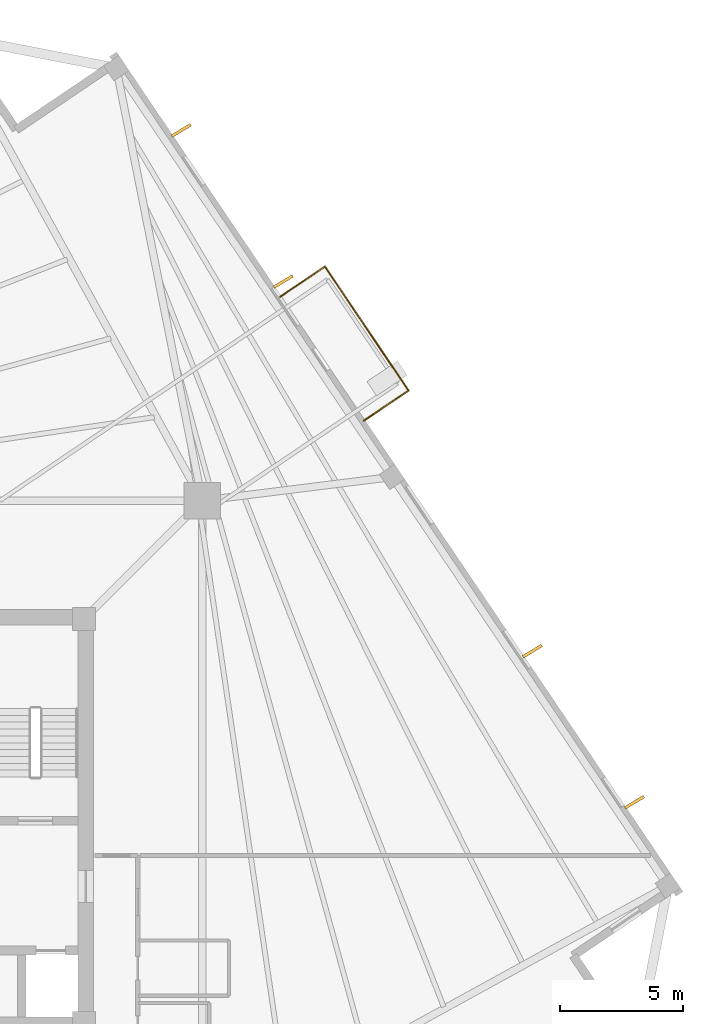
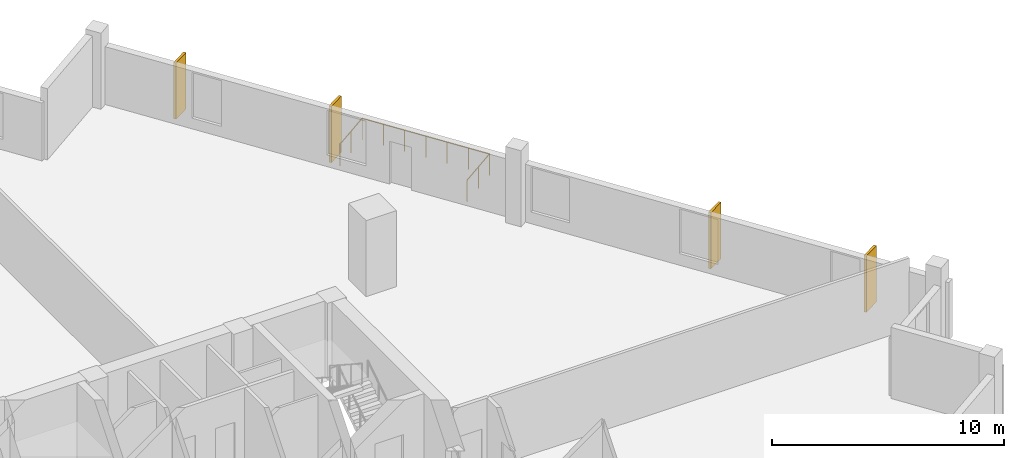
# One storey, part 9 of 9: 4 coverings, 3 railings.
"""IFC4 building model written with IfcOpenShell, lengths in metres."""

from ifc_helpers import new_model, si_unit, direction, frame, origin, origin_2d, place, context, subcontext, project, spatial, rectangle, circle, extrude, source, transform, mapped, material, layer, layer_set, type_object, element, save


model = new_model("IFC4")

# Units and contexts
model_context = context("Model", 3, precision=1e-05, world=origin(), true_north=direction((0.0, 1.0)))
body_context = subcontext(model_context, "Body", "Model", "MODEL_VIEW")
ifc_project = project(units=[si_unit("LENGTHUNIT", "METRE"), si_unit("AREAUNIT", "SQUARE_METRE"), si_unit("VOLUMEUNIT", "CUBIC_METRE"), si_unit("PLANEANGLEUNIT", "RADIAN"), si_unit("MASSUNIT", "GRAM", prefix="KILO"), si_unit("THERMODYNAMICTEMPERATUREUNIT", "KELVIN")], contexts=[model_context])

# Site, building, storey
site_placement = place(None, origin())
site = spatial("IfcSite", under=ifc_project, at=site_placement, CompositionType="ELEMENT")
building_placement = place(site_placement, origin())
building = spatial("IfcBuilding", under=site, at=building_placement, Name="Kosmvard Interchange Tower", CompositionType="ELEMENT")
storey_placement = place(building_placement, frame((0.0, 0.0, 144.39990234375)))
storey = spatial("IfcBuildingStorey", under=building, at=storey_placement, Name="L34", CompositionType="ELEMENT", Elevation=144.39990234375)

# Coverings
ifc_material_1 = material(Name="Architectural anodised aluminium", Category="aluminium")
ifc_layer = layer(ifc_material_1, 0.1201171875, Name="Architectural anodised aluminium")
ifc_layer_set = layer_set([ifc_layer], Name="Architectural anodised aluminium")
covering_type = type_object("IfcCoveringType", Name="Rotating Vertical Sun-Breaker Fin 900x120 Aluminium", PredefinedType="CLADDING", material=ifc_layer_set)
shared_shape_1 = source(origin(), body_context, "Body", "SweptSolid", [
    extrude(rectangle(XDim=0.89990234375, YDim=0.1201171875, at=origin_2d()), origin(), (0.0, 0.0, 1.0), 2.9599609375),
])
for number, where, z_axis, x_axis, name in (
    (1, (30.718994140625, 0.774169921875, 0.0400390625), (0.0, 0.0, 1.0), (0.856537423431, 0.516084917685, 0.0), "L34 Rotating Vertical Sun-Breaker Fin 05"),
    (2, (26.557861328125, 6.943115234375, 0.0400390625), (0.0, 0.0, 1.0), (0.856537423431, 0.516084917685, 0.0), "L34 Rotating Vertical Sun-Breaker Fin 06"),
    (3, (16.38623046875, 22.02294921875, 0.0400390625), (0.0, 0.0, 1.0), (0.856537423431, 0.516084917685, 0.0), "L34 Rotating Vertical Sun-Breaker Fin 07"),
    (4, (12.225341796875, 28.192138671875, 0.0400390625), (0.0, 0.0, 1.0), (0.856537423431, 0.516084917685, 0.0), "L34 Rotating Vertical Sun-Breaker Fin 08"),
):
    element("IfcCovering", number, at=place(storey_placement, frame(where, z_axis=z_axis, x_axis=x_axis)), inside=storey, type_object=covering_type, Name=name, PredefinedType="CLADDING", context=body_context, shape_type="MappedRepresentation", body=[
        mapped(shared_shape_1, transform((0.0, 0.0, 0.0), scale=1.0)),
    ])

# Railings
ifc_material_2 = material(Name="Steel S355", Category="steel")
railing_type = type_object("IfcRailingType", Name="Observation & Balcony Glass-Infill Balustrade 1150", PredefinedType="BALUSTRADE", material=ifc_material_2)
shared_shape_2 = source(origin(), body_context, "Body", "SweptSolid", [
    extrude(circle(Radius=0.02392578125, at=origin_2d()), frame((0.0, 0.0, 1.1259765625), z_axis=(0.829050594418, 0.559173597279, 0.0), x_axis=(-0.559173597279, 0.829050594418, 0.0)), (0.0, 0.0, 1.0), 2.2001953125),
    extrude(circle(Radius=0.02099609375, at=origin_2d()), origin(), (0.0, 0.0, 1.0), 1.101806640625),
    extrude(circle(Radius=0.02099609375, at=origin_2d()), frame((0.912109375, 0.615234375, 0.0)), (0.0, 0.0, 1.0), 1.101806640625),
    extrude(circle(Radius=0.02099609375, at=origin_2d()), frame((1.823974609375, 1.230224609375, 0.0)), (0.0, 0.0, 1.0), 1.101806640625),
])
railing_1_placement = place(storey_placement, frame((19.673095703125, 16.345458984375, 0.0)))
element("IfcRailing", 5, at=railing_1_placement, inside=storey, type_object=railing_type, Name="L34 Outdoor Terrace Guard BAL-L34-E-A", PredefinedType="BALUSTRADE", context=body_context, shape_type="MappedRepresentation", body=[
    mapped(shared_shape_2, transform((0.0, 0.0, 0.0), scale=1.0)),
])
shared_shape_3 = source(origin(), body_context, "Body", "SweptSolid", [
    extrude(circle(Radius=0.02392578125, at=origin_2d()), frame((0.0, 0.0, 1.1259765625), z_axis=(-0.55919924627, 0.829033294248, 0.0), x_axis=(-0.829033294248, -0.55919924627, 0.0)), (0.0, 0.0, 1.0), 6.10009765625),
    extrude(circle(Radius=0.02099609375, at=origin_2d()), origin(), (0.0, 0.0, 1.0), 1.101806640625),
    extrude(circle(Radius=0.02099609375, at=origin_2d()), frame((-0.568603515625, 0.8427734375, 0.0)), (0.0, 0.0, 1.0), 1.101806640625),
    extrude(circle(Radius=0.02099609375, at=origin_2d()), frame((-1.136962890625, 1.685791015625, 0.0)), (0.0, 0.0, 1.0), 1.101806640625),
    extrude(circle(Radius=0.02099609375, at=origin_2d()), frame((-1.70556640625, 2.528564453125, 0.0)), (0.0, 0.0, 1.0), 1.101806640625),
    extrude(circle(Radius=0.02099609375, at=origin_2d()), frame((-2.274169921875, 3.371337890625, 0.0)), (0.0, 0.0, 1.0), 1.101806640625),
    extrude(circle(Radius=0.02099609375, at=origin_2d()), frame((-2.842529296875, 4.21435546875, 0.0)), (0.0, 0.0, 1.0), 1.101806640625),
    extrude(circle(Radius=0.02099609375, at=origin_2d()), frame((-3.4111328125, 5.05712890625, 0.0)), (0.0, 0.0, 1.0), 1.101806640625),
])
railing_2_placement = place(storey_placement, frame((21.4970703125, 17.57568359375, 0.0)))
element("IfcRailing", 6, at=railing_2_placement, inside=storey, type_object=railing_type, Name="L34 Outdoor Terrace Guard BAL-L34-E-B", PredefinedType="BALUSTRADE", context=body_context, shape_type="MappedRepresentation", body=[
    mapped(shared_shape_3, transform((0.0, 0.0, 0.0), scale=1.0)),
])
shared_shape_4 = source(origin(), body_context, "Body", "SweptSolid", [
    extrude(circle(Radius=0.02392578125, at=origin_2d()), frame((0.0, 0.0, 1.1259765625), z_axis=(-0.829050594418, -0.559173597279, 0.0), x_axis=(0.559173597279, -0.829050594418, 0.0)), (0.0, 0.0, 1.0), 2.2001953125),
    extrude(circle(Radius=0.02099609375, at=origin_2d()), origin(), (0.0, 0.0, 1.0), 1.101806640625),
    extrude(circle(Radius=0.02099609375, at=origin_2d()), frame((-0.912109375, -0.615234375, 0.0)), (0.0, 0.0, 1.0), 1.101806640625),
    extrude(circle(Radius=0.02099609375, at=origin_2d()), frame((-1.823974609375, -1.230224609375, 0.0)), (0.0, 0.0, 1.0), 1.101806640625),
])
railing_3_placement = place(storey_placement, frame((18.0859375, 22.6328125, 0.0)))
element("IfcRailing", 7, at=railing_3_placement, inside=storey, type_object=railing_type, Name="L34 Outdoor Terrace Guard BAL-L34-E-C", PredefinedType="BALUSTRADE", context=body_context, shape_type="MappedRepresentation", body=[
    mapped(shared_shape_4, transform((0.0, 0.0, 0.0), scale=1.0)),
])

save(model, "model.ifc")
